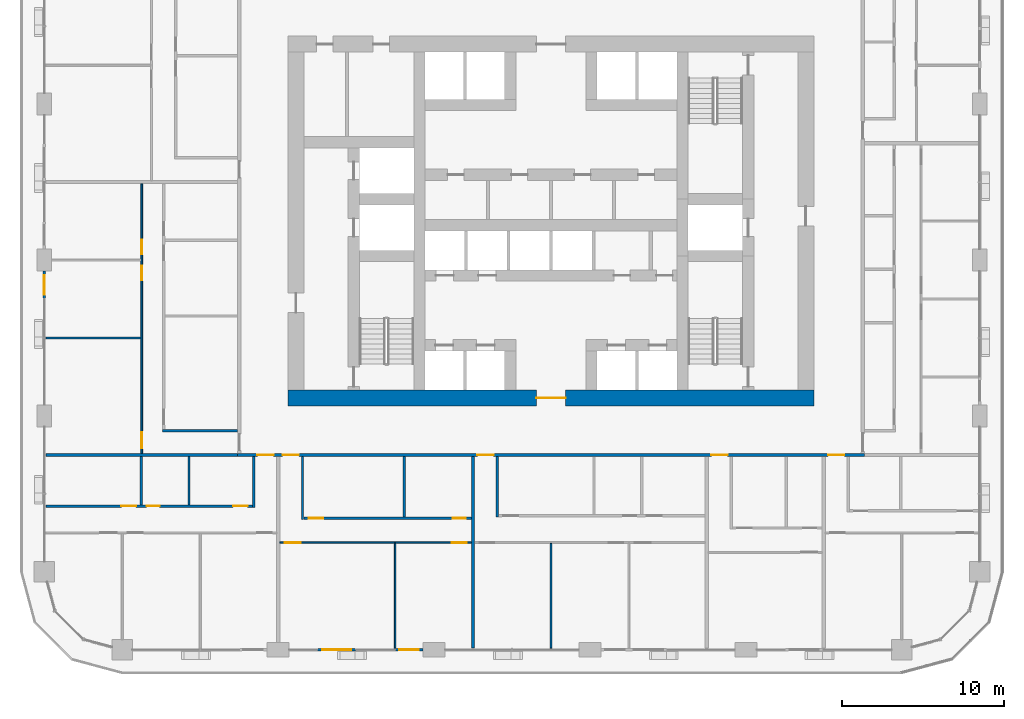
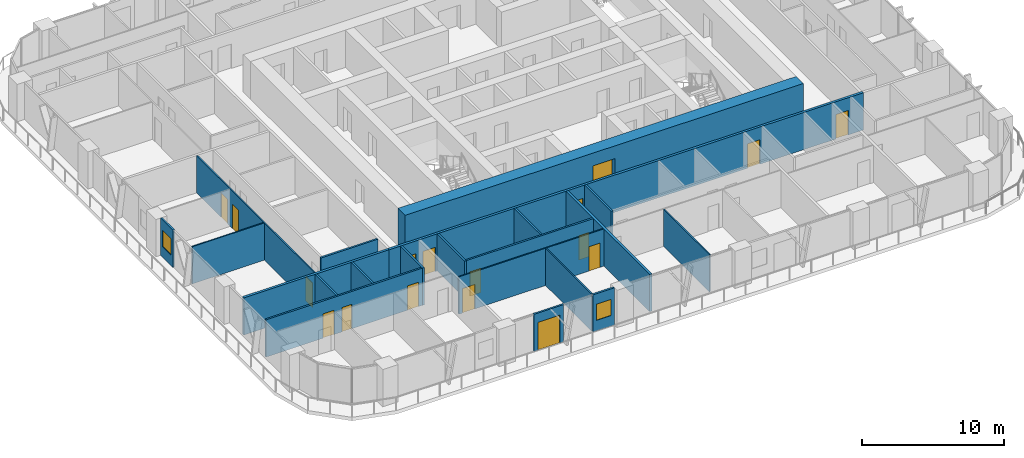
# One storey, part 9 of 21: 21 walls, 17 doors, 2 windows, 19 openings.
"""IFC4 building model written with IfcOpenShell, lengths in metres."""

from ifc_helpers import new_model, si_unit, direction, frame, frame_2d, origin, place, context, subcontext, project, spatial, rectangle, extrude, material, layer, layer_set, type_object, element, fill, save


model = new_model("IFC4")

# Units and contexts
model_context = context("Model", 3, precision=1e-05, world=origin(), true_north=direction((0.0, 1.0)))
body_context = subcontext(model_context, "Body", "Model", "MODEL_VIEW")
ifc_project = project(units=[si_unit("LENGTHUNIT", "METRE"), si_unit("AREAUNIT", "SQUARE_METRE"), si_unit("VOLUMEUNIT", "CUBIC_METRE"), si_unit("PLANEANGLEUNIT", "RADIAN"), si_unit("MASSUNIT", "GRAM", prefix="KILO")], contexts=[model_context])

# Site, building, storey
site_placement = place(None, origin())
site = spatial("IfcSite", under=ifc_project, at=site_placement, CompositionType="ELEMENT")
building_placement = place(site_placement, origin())
building = spatial("IfcBuilding", under=site, at=building_placement, Name="Madar Terraces", CompositionType="ELEMENT")
storey_placement = place(building_placement, frame((0.0, 0.0, 36.39990234375)))
storey = spatial("IfcBuildingStorey", under=building, at=storey_placement, Name="L08", CompositionType="ELEMENT", Elevation=36.39990234375)

# Wall, opening, door
ifc_material_1 = material(Name="Concrete C80/95", Category="concrete")
ifc_layer_1 = layer(ifc_material_1, 1.0)
ifc_layer_set_1 = layer_set([ifc_layer_1], Name="Concrete C80/95 (CRW1 RC wall 1000)")
wall_type_1 = type_object("IfcWallType", Name="CRW1 RC wall 1000", PredefinedType="SHEAR", material=ifc_layer_set_1)
wall_1_placement = place(storey_placement, frame((15.0, 15.5, 0.0), z_axis=(0.0, 0.0, 1.0), x_axis=(1.0, 0.0, 0.0)))
wall_1 = element("IfcWall", 1, at=wall_1_placement, inside=storey, type_object=wall_type_1, Name="CORE OUTER WALL", PredefinedType="SHEAR", context=body_context, shape_type="SweptSolid", body=[
    extrude(rectangle(XDim=32.39990234375, YDim=1.0, at=frame_2d((16.199951171875, 0.0))), origin(), (0.0, 0.0, 1.0), 3.2001953125),
])
opening_1_placement = place(wall_1_placement, frame((15.300048828125, 0.0, 0.0)))
opening_1 = element("IfcOpeningElement", 2, at=opening_1_placement, cuts=wall_1, Name="Opening KD1", PredefinedType="OPENING", context=body_context, shape_type="SweptSolid", body=[
    extrude(rectangle(XDim=1.800048828125, YDim=2.10009765625, at=frame_2d((0.89990234375, 1.050048828125))), frame((0.0, 0.510009765625, 0.0), z_axis=(0.0, -1.0, 0.0), x_axis=(1.0, 0.0, 0.0)), (0.0, 0.0, 1.0), 1.02001953125),
])
ifc_material_2 = material(Name="Steel door leaf", Category="steel")
door_type_1 = type_object("IfcDoorType", Name="Lobby door pair 1800 x 2100", OperationType="DOUBLE_DOOR_SINGLE_SWING", PredefinedType="DOOR", material=ifc_material_2)
door_1_placement = place(opening_1_placement, frame((1.800048828125, 0.0, 0.0), z_axis=(0.0, 0.0, 1.0), x_axis=(-1.0, 0.0, 0.0)))
door_1 = element("IfcDoor", 3, at=door_1_placement, inside=storey, type_object=door_type_1, Name="LIFT LOBBY DOOR", OperationType="DOUBLE_DOOR_SINGLE_SWING", OverallHeight=2.10009765625, OverallWidth=1.800048828125, PredefinedType="DOOR", context=body_context, shape_type="SweptSolid", body=[
    extrude(rectangle(XDim=1.800048828125, YDim=2.10009765625, at=frame_2d((0.89990234375, 1.050048828125))), frame((0.0, 0.02490234375, 0.0), z_axis=(0.0, -1.0, 0.0), x_axis=(1.0, 0.0, 0.0)), (0.0, 0.0, 1.0), 0.050048828125),
])
fill(opening_1, door_1)

ifc_material_3 = material(Name="Aluminium composite panel, black, over insulated backing", Category="aluminium")
ifc_layer_2 = layer(ifc_material_3, 0.14990234375)
ifc_layer_set_2 = layer_set([ifc_layer_2], Name="Facade bay panel 150")
wall_type_2 = type_object("IfcWallType", Name="Facade bay panel 150", PredefinedType="SOLIDWALL", material=ifc_layer_set_2)
wall_2_placement = place(storey_placement, frame((16.800048828125, 0.0, 0.0), z_axis=(0.0, 0.0, 1.0), x_axis=(1.0, 0.0, 0.0)))
wall_2 = element("IfcWall", 4, at=wall_2_placement, inside=storey, type_object=wall_type_2, Name="Facade bay panel", PredefinedType="SOLIDWALL", context=body_context, shape_type="SweptSolid", body=[
    extrude(rectangle(XDim=2.39990234375, YDim=0.14990234375, at=frame_2d((1.199951171875, 0.0))), origin(), (0.0, 0.0, 1.0), 3.2001953125),
])
opening_2_placement = place(wall_2_placement, frame((0.300048828125, 0.0, 0.0)))
opening_2 = element("IfcOpeningElement", 5, at=opening_2_placement, cuts=wall_2, Name="Opening ED1", PredefinedType="OPENING", context=body_context, shape_type="SweptSolid", body=[
    extrude(rectangle(XDim=1.800048828125, YDim=2.39990234375, at=frame_2d((0.89990234375, 1.199951171875))), frame((0.0, 0.0849609375, 0.0), z_axis=(0.0, -1.0, 0.0), x_axis=(1.0, 0.0, 0.0)), (0.0, 0.0, 1.0), 0.169921875),
])
ifc_material_4 = material(Name="Glass, clear, with black aluminium frame", Category="aluminium")
door_type_2 = type_object("IfcDoorType", Name="Balcony and terrace sliding door 1800 x 2400", OperationType="SLIDING_TO_LEFT", PredefinedType="DOOR", material=ifc_material_4)
door_2_placement = place(opening_2_placement, origin())
door_2 = element("IfcDoor", 6, at=door_2_placement, inside=storey, type_object=door_type_2, Name="Balcony door", OperationType="SLIDING_TO_LEFT", OverallHeight=2.39990234375, OverallWidth=1.800048828125, PredefinedType="DOOR", context=body_context, shape_type="SweptSolid", body=[
    extrude(rectangle(XDim=1.800048828125, YDim=2.39990234375, at=frame_2d((0.89990234375, 1.199951171875))), frame((0.0, 0.02490234375, 0.0), z_axis=(0.0, -1.0, 0.0), x_axis=(1.0, 0.0, 0.0)), (0.0, 0.0, 1.0), 0.050048828125),
])
fill(opening_2, door_2)

# Wall, opening, window
wall_3_placement = place(storey_placement, frame((21.60009765625, 0.0, 0.0), z_axis=(0.0, 0.0, 1.0), x_axis=(1.0, 0.0, 0.0)))
wall_3 = element("IfcWall", 7, at=wall_3_placement, inside=storey, type_object=wall_type_2, Name="Facade bay panel", PredefinedType="SOLIDWALL", context=body_context, shape_type="SweptSolid", body=[
    extrude(rectangle(XDim=1.724853515625, YDim=0.14990234375, at=frame_2d((0.8623046875, 0.0))), origin(), (0.0, 0.0, 1.0), 3.2001953125),
])
opening_3_placement = place(wall_3_placement, frame((0.262451171875, 0.0, 0.89990234375)))
opening_3 = element("IfcOpeningElement", 8, at=opening_3_placement, cuts=wall_3, Name="Opening W1", PredefinedType="OPENING", context=body_context, shape_type="SweptSolid", body=[
    extrude(rectangle(XDim=1.199951171875, YDim=1.39990234375, at=frame_2d((0.60009765625, 0.699951171875))), frame((0.0, 0.0849609375, 0.0), z_axis=(0.0, -1.0, 0.0), x_axis=(1.0, 0.0, 0.0)), (0.0, 0.0, 1.0), 0.169921875),
])
ifc_material_5 = material(Name="Glass, clear, with black aluminium frame", Category="aluminium")
window_type = type_object("IfcWindowType", Name="Vent window 1200 x 1400", PartitioningType="SINGLE_PANEL", PredefinedType="WINDOW", material=ifc_material_5)
window_1_placement = place(opening_3_placement, origin())
window_1 = element("IfcWindow", 9, at=window_1_placement, inside=storey, type_object=window_type, Name="Operable vent window", OverallHeight=1.39990234375, OverallWidth=1.199951171875, PartitioningType="SINGLE_PANEL", PredefinedType="WINDOW", context=body_context, shape_type="SweptSolid", body=[
    extrude(rectangle(XDim=1.199951171875, YDim=1.39990234375, at=frame_2d((0.60009765625, 0.699951171875))), frame((0.0, 0.030029296875, 0.0), z_axis=(0.0, -1.0, 0.0), x_axis=(1.0, 0.0, 0.0)), (0.0, 0.0, 1.0), 0.06005859375),
])
fill(opening_3, window_1)

wall_4_placement = place(storey_placement, frame((0.0, 23.324951171875, 0.0), z_axis=(0.0, 0.0, 1.0), x_axis=(0.0, -1.0, 0.0)))
wall_4 = element("IfcWall", 10, at=wall_4_placement, inside=storey, type_object=wall_type_2, Name="Facade bay panel", PredefinedType="SOLIDWALL", context=body_context, shape_type="SweptSolid", body=[
    extrude(rectangle(XDim=1.724853515625, YDim=0.14990234375, at=frame_2d((0.8623046875, 0.0))), origin(), (0.0, 0.0, 1.0), 3.2001953125),
])
opening_4_placement = place(wall_4_placement, frame((0.262451171875, 0.0, 0.89990234375)))
opening_4 = element("IfcOpeningElement", 11, at=opening_4_placement, cuts=wall_4, Name="Opening W1", PredefinedType="OPENING", context=body_context, shape_type="SweptSolid", body=[
    extrude(rectangle(XDim=1.199951171875, YDim=1.39990234375, at=frame_2d((0.60009765625, 0.699951171875))), frame((0.0, 0.0849609375, 0.0), z_axis=(0.0, -1.0, 0.0), x_axis=(1.0, 0.0, 0.0)), (0.0, 0.0, 1.0), 0.169921875),
])
window_2_placement = place(opening_4_placement, origin())
window_2 = element("IfcWindow", 12, at=window_2_placement, inside=storey, type_object=window_type, Name="Operable vent window", OverallHeight=1.39990234375, OverallWidth=1.199951171875, PartitioningType="SINGLE_PANEL", PredefinedType="WINDOW", context=body_context, shape_type="SweptSolid", body=[
    extrude(rectangle(XDim=1.199951171875, YDim=1.39990234375, at=frame_2d((0.60009765625, 0.699951171875))), frame((0.0, 0.030029296875, 0.0), z_axis=(0.0, -1.0, 0.0), x_axis=(1.0, 0.0, 0.0)), (0.0, 0.0, 1.0), 0.06005859375),
])
fill(opening_4, window_2)

# Wall
ifc_material_6 = material(Name="Gypsum board on steel studs", Category="steel")
ifc_layer_3 = layer(ifc_material_6, 0.10009765625)
ifc_layer_set_3 = layer_set([ifc_layer_3], Name="Flat partition 100")
wall_type_3 = type_object("IfcWallType", Name="Flat partition 100", PredefinedType="PARTITIONING", material=ifc_layer_set_3)
wall_5_placement = place(storey_placement, frame((21.60009765625, 6.550048828125, 0.0), z_axis=(0.0, 0.0, 1.0), x_axis=(0.0, -1.0, 0.0)))
element("IfcWall", 13, at=wall_5_placement, inside=storey, type_object=wall_type_3, Name="Flat partition 100", PredefinedType="PARTITIONING", context=body_context, shape_type="SweptSolid", body=[
    extrude(rectangle(XDim=6.449951171875, YDim=0.10009765625, at=frame_2d((3.22509765625, 0.0))), origin(), (0.0, 0.0, 1.0), 3.2001953125),
])

# Wall, openings, doors
wall_6_placement = place(storey_placement, frame((26.300048828125, 6.60009765625, 0.0), z_axis=(0.0, 0.0, 1.0), x_axis=(-1.0, 0.0, 0.0)))
wall_6 = element("IfcWall", 14, at=wall_6_placement, inside=storey, type_object=wall_type_3, Name="Flat partition 100", PredefinedType="PARTITIONING", context=body_context, shape_type="SweptSolid", body=[
    extrude(rectangle(XDim=11.800048828125, YDim=0.10009765625, at=frame_2d((5.89990234375, 0.0))), origin(), (0.0, 0.0, 1.0), 3.2001953125),
])
opening_5_placement = place(wall_6_placement, frame((10.5, 0.0, 0.0)))
opening_5 = element("IfcOpeningElement", 15, at=opening_5_placement, cuts=wall_6, Name="Opening D3", PredefinedType="OPENING", context=body_context, shape_type="SweptSolid", body=[
    extrude(rectangle(XDim=1.0, YDim=2.10009765625, at=frame_2d((0.5, 1.050048828125))), frame((0.0, 0.06005859375, 0.0), z_axis=(0.0, -1.0, 0.0), x_axis=(1.0, 0.0, 0.0)), (0.0, 0.0, 1.0), 0.1201171875),
])
opening_6_placement = place(wall_6_placement, frame((0.300048828125, 0.0, 0.0)))
opening_6 = element("IfcOpeningElement", 16, at=opening_6_placement, cuts=wall_6, Name="Opening D2", PredefinedType="OPENING", context=body_context, shape_type="SweptSolid", body=[
    extrude(rectangle(XDim=0.89990234375, YDim=2.10009765625, at=frame_2d((0.449951171875, 1.050048828125))), frame((0.0, 0.06005859375, 0.0), z_axis=(0.0, -1.0, 0.0), x_axis=(1.0, 0.0, 0.0)), (0.0, 0.0, 1.0), 0.1201171875),
])
ifc_material_7 = material(Name="Timber door leaf", Category="wood")
door_type_3 = type_object("IfcDoorType", Name="Flat living room door 1000", OperationType="NOTDEFINED", PredefinedType="DOOR", material=ifc_material_7)
door_3_placement = place(opening_5_placement, origin())
door_3 = element("IfcDoor", 17, at=door_3_placement, inside=storey, type_object=door_type_3, Name="Flat living room door 1000", OperationType="SINGLE_SWING_RIGHT", OverallHeight=2.10009765625, OverallWidth=1.0, PredefinedType="DOOR", context=body_context, shape_type="SweptSolid", body=[
    extrude(rectangle(XDim=1.0, YDim=2.10009765625, at=frame_2d((0.5, 1.050048828125))), frame((0.0, 0.02490234375, 0.0), z_axis=(0.0, -1.0, 0.0), x_axis=(1.0, 0.0, 0.0)), (0.0, 0.0, 1.0), 0.050048828125),
])
fill(opening_5, door_3)
ifc_material_8 = material(Name="Timber door leaf", Category="wood")
door_type_4 = type_object("IfcDoorType", Name="Flat room door 900", OperationType="NOTDEFINED", PredefinedType="DOOR", material=ifc_material_8)
door_4_placement = place(opening_6_placement, origin())
door_4 = element("IfcDoor", 18, at=door_4_placement, inside=storey, type_object=door_type_4, Name="Flat room door 900", OperationType="SINGLE_SWING_LEFT", OverallHeight=2.10009765625, OverallWidth=0.89990234375, PredefinedType="DOOR", context=body_context, shape_type="SweptSolid", body=[
    extrude(rectangle(XDim=0.89990234375, YDim=2.10009765625, at=frame_2d((0.449951171875, 1.050048828125))), frame((0.0, 0.02490234375, 0.0), z_axis=(0.0, -1.0, 0.0), x_axis=(1.0, 0.0, 0.0)), (0.0, 0.0, 1.0), 0.050048828125),
])
fill(opening_6, door_4)

# Walls
wall_7_placement = place(storey_placement, frame((31.199951171875, 6.550048828125, 0.0), z_axis=(0.0, 0.0, 1.0), x_axis=(0.0, -1.0, 0.0)))
element("IfcWall", 19, at=wall_7_placement, inside=storey, type_object=wall_type_3, Name="Flat partition 100", PredefinedType="PARTITIONING", context=body_context, shape_type="SweptSolid", body=[
    extrude(rectangle(XDim=6.449951171875, YDim=0.10009765625, at=frame_2d((3.22509765625, 0.0))), origin(), (0.0, 0.0, 1.0), 3.2001953125),
])
wall_8_placement = place(storey_placement, frame((5.949951171875, 19.199951171875, 0.0), z_axis=(0.0, 0.0, 1.0), x_axis=(-1.0, 0.0, 0.0)))
element("IfcWall", 20, at=wall_8_placement, inside=storey, type_object=wall_type_3, Name="Flat partition 100", PredefinedType="PARTITIONING", context=body_context, shape_type="SweptSolid", body=[
    extrude(rectangle(XDim=5.849853515625, YDim=0.10009765625, at=frame_2d((2.9248046875, 0.0))), origin(), (0.0, 0.0, 1.0), 3.2001953125),
])

# Wall, openings, doors
wall_9_placement = place(storey_placement, frame((6.0, 12.10009765625, 0.0), z_axis=(0.0, 0.0, 1.0), x_axis=(0.0, 1.0, 0.0)))
wall_9 = element("IfcWall", 21, at=wall_9_placement, inside=storey, type_object=wall_type_3, Name="Flat partition 100", PredefinedType="PARTITIONING", context=body_context, shape_type="SweptSolid", body=[
    extrude(rectangle(XDim=16.599853515625, YDim=0.10009765625, at=frame_2d((8.2998046875, 0.0))), origin(), (0.0, 0.0, 1.0), 3.2001953125),
])
opening_7_placement = place(wall_9_placement, frame((0.300048828125, 0.0, 0.0)))
opening_7 = element("IfcOpeningElement", 22, at=opening_7_placement, cuts=wall_9, Name="Opening D3", PredefinedType="OPENING", context=body_context, shape_type="SweptSolid", body=[
    extrude(rectangle(XDim=1.0, YDim=2.10009765625, at=frame_2d((0.5, 1.050048828125))), frame((0.0, 0.06005859375, 0.0), z_axis=(0.0, -1.0, 0.0), x_axis=(1.0, 0.0, 0.0)), (0.0, 0.0, 1.0), 0.1201171875),
])
opening_8_placement = place(wall_9_placement, frame((10.64990234375, 0.0, 0.0)))
opening_8 = element("IfcOpeningElement", 23, at=opening_8_placement, cuts=wall_9, Name="Opening D2", PredefinedType="OPENING", context=body_context, shape_type="SweptSolid", body=[
    extrude(rectangle(XDim=0.89990234375, YDim=2.10009765625, at=frame_2d((0.449951171875, 1.050048828125))), frame((0.0, 0.06005859375, 0.0), z_axis=(0.0, -1.0, 0.0), x_axis=(1.0, 0.0, 0.0)), (0.0, 0.0, 1.0), 0.1201171875),
])
opening_9_placement = place(wall_9_placement, frame((12.25, 0.0, 0.0)))
opening_9 = element("IfcOpeningElement", 24, at=opening_9_placement, cuts=wall_9, Name="Opening D2", PredefinedType="OPENING", context=body_context, shape_type="SweptSolid", body=[
    extrude(rectangle(XDim=0.89990234375, YDim=2.10009765625, at=frame_2d((0.449951171875, 1.050048828125))), frame((0.0, 0.06005859375, 0.0), z_axis=(0.0, -1.0, 0.0), x_axis=(1.0, 0.0, 0.0)), (0.0, 0.0, 1.0), 0.1201171875),
])
door_5_placement = place(opening_7_placement, origin())
door_5 = element("IfcDoor", 25, at=door_5_placement, inside=storey, type_object=door_type_3, Name="Flat living room door 1000", OperationType="SINGLE_SWING_LEFT", OverallHeight=2.10009765625, OverallWidth=1.0, PredefinedType="DOOR", context=body_context, shape_type="SweptSolid", body=[
    extrude(rectangle(XDim=1.0, YDim=2.10009765625, at=frame_2d((0.5, 1.050048828125))), frame((0.0, 0.02490234375, 0.0), z_axis=(0.0, -1.0, 0.0), x_axis=(1.0, 0.0, 0.0)), (0.0, 0.0, 1.0), 0.050048828125),
])
fill(opening_7, door_5)
door_6_placement = place(opening_8_placement, origin())
door_6 = element("IfcDoor", 26, at=door_6_placement, inside=storey, type_object=door_type_4, Name="Flat room door 900", OperationType="SINGLE_SWING_RIGHT", OverallHeight=2.10009765625, OverallWidth=0.89990234375, PredefinedType="DOOR", context=body_context, shape_type="SweptSolid", body=[
    extrude(rectangle(XDim=0.89990234375, YDim=2.10009765625, at=frame_2d((0.449951171875, 1.050048828125))), frame((0.0, 0.02490234375, 0.0), z_axis=(0.0, -1.0, 0.0), x_axis=(1.0, 0.0, 0.0)), (0.0, 0.0, 1.0), 0.050048828125),
])
fill(opening_8, door_6)
door_7_placement = place(opening_9_placement, origin())
door_7 = element("IfcDoor", 27, at=door_7_placement, inside=storey, type_object=door_type_4, Name="Flat room door 900", OperationType="SINGLE_SWING_LEFT", OverallHeight=2.10009765625, OverallWidth=0.89990234375, PredefinedType="DOOR", context=body_context, shape_type="SweptSolid", body=[
    extrude(rectangle(XDim=0.89990234375, YDim=2.10009765625, at=frame_2d((0.449951171875, 1.050048828125))), frame((0.0, 0.02490234375, 0.0), z_axis=(0.0, -1.0, 0.0), x_axis=(1.0, 0.0, 0.0)), (0.0, 0.0, 1.0), 0.050048828125),
])
fill(opening_9, door_7)

ifc_material_9 = material(Name="Lightweight blockwork", Category="masonry")
ifc_layer_4 = layer(ifc_material_9, 0.199951171875)
ifc_layer_set_4 = layer_set([ifc_layer_4], Name="Flat party and entrance wall 200")
wall_type_4 = type_object("IfcWallType", Name="Flat party and entrance wall 200", PredefinedType="PARTITIONING", material=ifc_layer_set_4)
wall_10_placement = place(storey_placement, frame((50.5, 12.0, 0.0), z_axis=(0.0, 0.0, 1.0), x_axis=(-1.0, 0.0, 0.0)))
wall_10 = element("IfcWall", 28, at=wall_10_placement, inside=storey, type_object=wall_type_4, Name="Flat party and entrance wall 200", PredefinedType="PARTITIONING", context=body_context, shape_type="SweptSolid", body=[
    extrude(rectangle(XDim=38.60009765625, YDim=0.199951171875, at=frame_2d((19.300048828125, 0.0))), origin(), (0.0, 0.0, 1.0), 3.2001953125),
])
opening_10_placement = place(wall_10_placement, frame((36.375, 0.0, 0.0)))
opening_10 = element("IfcOpeningElement", 29, at=opening_10_placement, cuts=wall_10, Name="Opening D1", PredefinedType="OPENING", context=body_context, shape_type="SweptSolid", body=[
    extrude(rectangle(XDim=1.0, YDim=2.10009765625, at=frame_2d((0.5, 1.050048828125))), frame((0.0, 0.10986328125, 0.0), z_axis=(0.0, -1.0, 0.0), x_axis=(1.0, 0.0, 0.0)), (0.0, 0.0, 1.0), 0.219970703125),
])
opening_11_placement = place(wall_10_placement, frame((34.824951171875, 0.0, 0.0)))
opening_11 = element("IfcOpeningElement", 30, at=opening_11_placement, cuts=wall_10, Name="Opening D1", PredefinedType="OPENING", context=body_context, shape_type="SweptSolid", body=[
    extrude(rectangle(XDim=1.0, YDim=2.10009765625, at=frame_2d((0.5, 1.050048828125))), frame((0.0, 0.10986328125, 0.0), z_axis=(0.0, -1.0, 0.0), x_axis=(1.0, 0.0, 0.0)), (0.0, 0.0, 1.0), 0.219970703125),
])
opening_12_placement = place(wall_10_placement, frame((22.824951171875, 0.0, 0.0)))
opening_12 = element("IfcOpeningElement", 31, at=opening_12_placement, cuts=wall_10, Name="Opening D1", PredefinedType="OPENING", context=body_context, shape_type="SweptSolid", body=[
    extrude(rectangle(XDim=1.0, YDim=2.10009765625, at=frame_2d((0.5, 1.050048828125))), frame((0.0, 0.10986328125, 0.0), z_axis=(0.0, -1.0, 0.0), x_axis=(1.0, 0.0, 0.0)), (0.0, 0.0, 1.0), 0.219970703125),
])
opening_13_placement = place(wall_10_placement, frame((8.425048828125, 0.0, 0.0)))
opening_13 = element("IfcOpeningElement", 32, at=opening_13_placement, cuts=wall_10, Name="Opening D1", PredefinedType="OPENING", context=body_context, shape_type="SweptSolid", body=[
    extrude(rectangle(XDim=1.0, YDim=2.10009765625, at=frame_2d((0.5, 1.050048828125))), frame((0.0, 0.10986328125, 0.0), z_axis=(0.0, -1.0, 0.0), x_axis=(1.0, 0.0, 0.0)), (0.0, 0.0, 1.0), 0.219970703125),
])
opening_14_placement = place(wall_10_placement, frame((1.22509765625, 0.0, 0.0)))
opening_14 = element("IfcOpeningElement", 33, at=opening_14_placement, cuts=wall_10, Name="Opening D1", PredefinedType="OPENING", context=body_context, shape_type="SweptSolid", body=[
    extrude(rectangle(XDim=1.0, YDim=2.10009765625, at=frame_2d((0.5, 1.050048828125))), frame((0.0, 0.10986328125, 0.0), z_axis=(0.0, -1.0, 0.0), x_axis=(1.0, 0.0, 0.0)), (0.0, 0.0, 1.0), 0.219970703125),
])
ifc_material_10 = material(Name="Timber fire door leaf", Category="wood")
door_type_5 = type_object("IfcDoorType", Name="Flat entrance door 1000 FD30S", OperationType="NOTDEFINED", PredefinedType="DOOR", material=ifc_material_10)
door_8_placement = place(opening_10_placement, origin())
door_8 = element("IfcDoor", 34, at=door_8_placement, inside=storey, type_object=door_type_5, Name="Flat entrance door 1000 FD30S", OperationType="SINGLE_SWING_LEFT", OverallHeight=2.10009765625, OverallWidth=1.0, PredefinedType="DOOR", context=body_context, shape_type="SweptSolid", body=[
    extrude(rectangle(XDim=1.0, YDim=2.10009765625, at=frame_2d((0.5, 1.050048828125))), frame((0.0, 0.02490234375, 0.0), z_axis=(0.0, -1.0, 0.0), x_axis=(1.0, 0.0, 0.0)), (0.0, 0.0, 1.0), 0.050048828125),
])
fill(opening_10, door_8)
door_9_placement = place(opening_11_placement, origin())
door_9 = element("IfcDoor", 35, at=door_9_placement, inside=storey, type_object=door_type_5, Name="Flat entrance door 1000 FD30S", OperationType="SINGLE_SWING_RIGHT", OverallHeight=2.10009765625, OverallWidth=1.0, PredefinedType="DOOR", context=body_context, shape_type="SweptSolid", body=[
    extrude(rectangle(XDim=1.0, YDim=2.10009765625, at=frame_2d((0.5, 1.050048828125))), frame((0.0, 0.02490234375, 0.0), z_axis=(0.0, -1.0, 0.0), x_axis=(1.0, 0.0, 0.0)), (0.0, 0.0, 1.0), 0.050048828125),
])
fill(opening_11, door_9)
door_10_placement = place(opening_12_placement, origin())
door_10 = element("IfcDoor", 36, at=door_10_placement, inside=storey, type_object=door_type_5, Name="Flat entrance door 1000 FD30S", OperationType="SINGLE_SWING_RIGHT", OverallHeight=2.10009765625, OverallWidth=1.0, PredefinedType="DOOR", context=body_context, shape_type="SweptSolid", body=[
    extrude(rectangle(XDim=1.0, YDim=2.10009765625, at=frame_2d((0.5, 1.050048828125))), frame((0.0, 0.02490234375, 0.0), z_axis=(0.0, -1.0, 0.0), x_axis=(1.0, 0.0, 0.0)), (0.0, 0.0, 1.0), 0.050048828125),
])
fill(opening_12, door_10)
door_11_placement = place(opening_13_placement, origin())
door_11 = element("IfcDoor", 37, at=door_11_placement, inside=storey, type_object=door_type_5, Name="Flat entrance door 1000 FD30S", OperationType="SINGLE_SWING_RIGHT", OverallHeight=2.10009765625, OverallWidth=1.0, PredefinedType="DOOR", context=body_context, shape_type="SweptSolid", body=[
    extrude(rectangle(XDim=1.0, YDim=2.10009765625, at=frame_2d((0.5, 1.050048828125))), frame((0.0, 0.02490234375, 0.0), z_axis=(0.0, -1.0, 0.0), x_axis=(1.0, 0.0, 0.0)), (0.0, 0.0, 1.0), 0.050048828125),
])
fill(opening_13, door_11)
door_12_placement = place(opening_14_placement, origin())
door_12 = element("IfcDoor", 38, at=door_12_placement, inside=storey, type_object=door_type_5, Name="Flat entrance door 1000 FD30S", OperationType="SINGLE_SWING_RIGHT", OverallHeight=2.10009765625, OverallWidth=1.0, PredefinedType="DOOR", context=body_context, shape_type="SweptSolid", body=[
    extrude(rectangle(XDim=1.0, YDim=2.10009765625, at=frame_2d((0.5, 1.050048828125))), frame((0.0, 0.02490234375, 0.0), z_axis=(0.0, -1.0, 0.0), x_axis=(1.0, 0.0, 0.0)), (0.0, 0.0, 1.0), 0.050048828125),
])
fill(opening_14, door_12)

# Walls
for number, where, z_axis, x_axis, name in (
    (39, (0.10009765625, 12.0, 0.0), (0.0, 0.0, 1.0), (1.0, 0.0, 0.0), "Flat party and entrance wall 200"),
    (40, (26.39990234375, 11.89990234375, 0.0), (0.0, 0.0, 1.0), (0.0, -1.0, 0.0), "Flat party and entrance wall 200"),
):
    element("IfcWall", number, at=place(storey_placement, frame(where, z_axis=z_axis, x_axis=x_axis)), inside=storey, type_object=wall_type_4, Name=name, PredefinedType="PARTITIONING", context=body_context, shape_type="SweptSolid", body=[
        extrude(rectangle(XDim=11.7998046875, YDim=0.199951171875, at=frame_2d((5.89990234375, 0.0))), origin(), (0.0, 0.0, 1.0), 3.2001953125),
    ])
ifc_material_11 = material(Name="Lightweight blockwork", Category="masonry")
ifc_layer_5 = layer(ifc_material_11, 0.14990234375)
ifc_layer_set_5 = layer_set([ifc_layer_5], Name="Flat wet-room partition 150")
wall_type_5 = type_object("IfcWallType", Name="Flat wet-room partition 150", PredefinedType="PARTITIONING", material=ifc_layer_set_5)
for number, where, z_axis, x_axis, name in (
    (41, (8.90966796875, 11.89990234375, 0.0), (0.0, 0.0, 1.0), (0.0, -1.0, 0.0), "Flat wet-room partition 150"),
    (42, (5.97314453125, 11.89990234375, 0.0), (0.0, 0.0, 1.0), (0.0, -1.0, 0.0), "Flat wet-room partition 150"),
):
    element("IfcWall", number, at=place(storey_placement, frame(where, z_axis=z_axis, x_axis=x_axis)), inside=storey, type_object=wall_type_5, Name=name, PredefinedType="PARTITIONING", context=body_context, shape_type="SweptSolid", body=[
        extrude(rectangle(XDim=2.974853515625, YDim=0.14990234375, at=frame_2d((1.4873046875, 0.0))), origin(), (0.0, 0.0, 1.0), 3.2001953125),
    ])
wall_11_placement = place(storey_placement, frame((12.89990234375, 11.89990234375, 0.0), z_axis=(0.0, 0.0, 1.0), x_axis=(0.0, -1.0, 0.0)))
element("IfcWall", 43, at=wall_11_placement, inside=storey, type_object=wall_type_5, Name="Flat wet-room partition 150", PredefinedType="PARTITIONING", context=body_context, shape_type="SweptSolid", body=[
    extrude(rectangle(XDim=3.125, YDim=0.14990234375, at=frame_2d((1.5625, 0.0))), origin(), (0.0, 0.0, 1.0), 3.2001953125),
])

# Wall, openings, doors
wall_12_placement = place(storey_placement, frame((0.10009765625, 8.85009765625, 0.0), z_axis=(0.0, 0.0, 1.0), x_axis=(1.0, 0.0, 0.0)))
wall_12 = element("IfcWall", 44, at=wall_12_placement, inside=storey, type_object=wall_type_5, Name="Flat wet-room partition 150", PredefinedType="PARTITIONING", context=body_context, shape_type="SweptSolid", body=[
    extrude(rectangle(XDim=12.724853515625, YDim=0.14990234375, at=frame_2d((6.3623046875, 0.0))), origin(), (0.0, 0.0, 1.0), 3.2001953125),
])
opening_15_placement = place(wall_12_placement, frame((11.52490234375, 0.0, 0.0)))
opening_15 = element("IfcOpeningElement", 45, at=opening_15_placement, cuts=wall_12, Name="Opening D5", PredefinedType="OPENING", context=body_context, shape_type="SweptSolid", body=[
    extrude(rectangle(XDim=0.89990234375, YDim=2.10009765625, at=frame_2d((0.449951171875, 1.050048828125))), frame((0.0, 0.0849609375, 0.0), z_axis=(0.0, -1.0, 0.0), x_axis=(1.0, 0.0, 0.0)), (0.0, 0.0, 1.0), 0.169921875),
])
opening_16_placement = place(wall_12_placement, frame((6.197998046875, 0.0, 0.0)))
opening_16 = element("IfcOpeningElement", 46, at=opening_16_placement, cuts=wall_12, Name="Opening D4", PredefinedType="OPENING", context=body_context, shape_type="SweptSolid", body=[
    extrude(rectangle(XDim=0.800048828125, YDim=2.10009765625, at=frame_2d((0.39990234375, 1.050048828125))), frame((0.0, 0.0849609375, 0.0), z_axis=(0.0, -1.0, 0.0), x_axis=(1.0, 0.0, 0.0)), (0.0, 0.0, 1.0), 0.169921875),
])
opening_17_placement = place(wall_12_placement, frame((4.648193359375, 0.0, 0.0)))
opening_17 = element("IfcOpeningElement", 47, at=opening_17_placement, cuts=wall_12, Name="Opening D2", PredefinedType="OPENING", context=body_context, shape_type="SweptSolid", body=[
    extrude(rectangle(XDim=0.89990234375, YDim=2.10009765625, at=frame_2d((0.449951171875, 1.050048828125))), frame((0.0, 0.0849609375, 0.0), z_axis=(0.0, -1.0, 0.0), x_axis=(1.0, 0.0, 0.0)), (0.0, 0.0, 1.0), 0.169921875),
])
ifc_material_12 = material(Name="Timber door leaf", Category="wood")
door_type_6 = type_object("IfcDoorType", Name="Flat accessible bathroom door 900", OperationType="NOTDEFINED", PredefinedType="DOOR", material=ifc_material_12)
door_13_placement = place(opening_15_placement, origin())
door_13 = element("IfcDoor", 48, at=door_13_placement, inside=storey, type_object=door_type_6, Name="Flat accessible bathroom door 900", OperationType="SINGLE_SWING_RIGHT", OverallHeight=2.10009765625, OverallWidth=0.89990234375, PredefinedType="DOOR", context=body_context, shape_type="SweptSolid", body=[
    extrude(rectangle(XDim=0.89990234375, YDim=2.10009765625, at=frame_2d((0.449951171875, 1.050048828125))), frame((0.0, 0.02490234375, 0.0), z_axis=(0.0, -1.0, 0.0), x_axis=(1.0, 0.0, 0.0)), (0.0, 0.0, 1.0), 0.050048828125),
])
fill(opening_15, door_13)
ifc_material_13 = material(Name="Timber door leaf", Category="wood")
door_type_7 = type_object("IfcDoorType", Name="Flat bathroom door 800", OperationType="NOTDEFINED", PredefinedType="DOOR", material=ifc_material_13)
door_14_placement = place(opening_16_placement, origin())
door_14 = element("IfcDoor", 49, at=door_14_placement, inside=storey, type_object=door_type_7, Name="Flat bathroom door 800", OperationType="SINGLE_SWING_LEFT", OverallHeight=2.10009765625, OverallWidth=0.800048828125, PredefinedType="DOOR", context=body_context, shape_type="SweptSolid", body=[
    extrude(rectangle(XDim=0.800048828125, YDim=2.10009765625, at=frame_2d((0.39990234375, 1.050048828125))), frame((0.0, 0.02490234375, 0.0), z_axis=(0.0, -1.0, 0.0), x_axis=(1.0, 0.0, 0.0)), (0.0, 0.0, 1.0), 0.050048828125),
])
fill(opening_16, door_14)
door_15_placement = place(opening_17_placement, origin())
door_15 = element("IfcDoor", 50, at=door_15_placement, inside=storey, type_object=door_type_4, Name="Flat room door 900", OperationType="SINGLE_SWING_RIGHT", OverallHeight=2.10009765625, OverallWidth=0.89990234375, PredefinedType="DOOR", context=body_context, shape_type="SweptSolid", body=[
    extrude(rectangle(XDim=0.89990234375, YDim=2.10009765625, at=frame_2d((0.449951171875, 1.050048828125))), frame((0.0, 0.02490234375, 0.0), z_axis=(0.0, -1.0, 0.0), x_axis=(1.0, 0.0, 0.0)), (0.0, 0.0, 1.0), 0.050048828125),
])
fill(opening_17, door_15)

# Walls
wall_13_placement = place(storey_placement, frame((22.169921875, 11.89990234375, 0.0), z_axis=(0.0, 0.0, 1.0), x_axis=(0.0, -1.0, 0.0)))
element("IfcWall", 51, at=wall_13_placement, inside=storey, type_object=wall_type_5, Name="Flat wet-room partition 150", PredefinedType="PARTITIONING", context=body_context, shape_type="SweptSolid", body=[
    extrude(rectangle(XDim=3.724853515625, YDim=0.14990234375, at=frame_2d((1.8623046875, 0.0))), origin(), (0.0, 0.0, 1.0), 3.2001953125),
])
wall_14_placement = place(storey_placement, frame((15.89990234375, 11.89990234375, 0.0), z_axis=(0.0, 0.0, 1.0), x_axis=(0.0, -1.0, 0.0)))
element("IfcWall", 52, at=wall_14_placement, inside=storey, type_object=wall_type_5, Name="Flat wet-room partition 150", PredefinedType="PARTITIONING", context=body_context, shape_type="SweptSolid", body=[
    extrude(rectangle(XDim=3.875, YDim=0.14990234375, at=frame_2d((1.9375, 0.0))), origin(), (0.0, 0.0, 1.0), 3.2001953125),
])

# Wall, openings, doors
wall_15_placement = place(storey_placement, frame((15.97509765625, 8.10009765625, 0.0), z_axis=(0.0, 0.0, 1.0), x_axis=(1.0, 0.0, 0.0)))
wall_15 = element("IfcWall", 53, at=wall_15_placement, inside=storey, type_object=wall_type_5, Name="Flat wet-room partition 150", PredefinedType="PARTITIONING", context=body_context, shape_type="SweptSolid", body=[
    extrude(rectangle(XDim=10.324951171875, YDim=0.14990234375, at=frame_2d((5.16259765625, 0.0))), origin(), (0.0, 0.0, 1.0), 3.2001953125),
])
opening_18_placement = place(wall_15_placement, frame((0.300048828125, 0.0, 0.0)))
opening_18 = element("IfcOpeningElement", 54, at=opening_18_placement, cuts=wall_15, Name="Opening D2", PredefinedType="OPENING", context=body_context, shape_type="SweptSolid", body=[
    extrude(rectangle(XDim=0.89990234375, YDim=2.10009765625, at=frame_2d((0.449951171875, 1.050048828125))), frame((0.0, 0.0849609375, 0.0), z_axis=(0.0, -1.0, 0.0), x_axis=(1.0, 0.0, 0.0)), (0.0, 0.0, 1.0), 0.169921875),
])
opening_19_placement = place(wall_15_placement, frame((9.175048828125, 0.0, 0.0)))
opening_19 = element("IfcOpeningElement", 55, at=opening_19_placement, cuts=wall_15, Name="Opening D4", PredefinedType="OPENING", context=body_context, shape_type="SweptSolid", body=[
    extrude(rectangle(XDim=0.800048828125, YDim=2.10009765625, at=frame_2d((0.39990234375, 1.050048828125))), frame((0.0, 0.0849609375, 0.0), z_axis=(0.0, -1.0, 0.0), x_axis=(1.0, 0.0, 0.0)), (0.0, 0.0, 1.0), 0.169921875),
])
door_16_placement = place(opening_19_placement, origin())
door_16 = element("IfcDoor", 56, at=door_16_placement, inside=storey, type_object=door_type_7, Name="Flat bathroom door 800", OperationType="SINGLE_SWING_RIGHT", OverallHeight=2.10009765625, OverallWidth=0.800048828125, PredefinedType="DOOR", context=body_context, shape_type="SweptSolid", body=[
    extrude(rectangle(XDim=0.800048828125, YDim=2.10009765625, at=frame_2d((0.39990234375, 1.050048828125))), frame((0.0, 0.02490234375, 0.0), z_axis=(0.0, -1.0, 0.0), x_axis=(1.0, 0.0, 0.0)), (0.0, 0.0, 1.0), 0.050048828125),
])
fill(opening_19, door_16)
door_17_placement = place(opening_18_placement, origin())
door_17 = element("IfcDoor", 57, at=door_17_placement, inside=storey, type_object=door_type_4, Name="Flat room door 900", OperationType="SINGLE_SWING_LEFT", OverallHeight=2.10009765625, OverallWidth=0.89990234375, PredefinedType="DOOR", context=body_context, shape_type="SweptSolid", body=[
    extrude(rectangle(XDim=0.89990234375, YDim=2.10009765625, at=frame_2d((0.449951171875, 1.050048828125))), frame((0.0, 0.02490234375, 0.0), z_axis=(0.0, -1.0, 0.0), x_axis=(1.0, 0.0, 0.0)), (0.0, 0.0, 1.0), 0.050048828125),
])
fill(opening_18, door_17)

# Walls
wall_16_placement = place(storey_placement, frame((27.89990234375, 11.89990234375, 0.0), z_axis=(0.0, 0.0, 1.0), x_axis=(0.0, -1.0, 0.0)))
element("IfcWall", 58, at=wall_16_placement, inside=storey, type_object=wall_type_5, Name="Flat wet-room partition 150", PredefinedType="PARTITIONING", context=body_context, shape_type="SweptSolid", body=[
    extrude(rectangle(XDim=3.724853515625, YDim=0.14990234375, at=frame_2d((1.8623046875, 0.0))), origin(), (0.0, 0.0, 1.0), 3.2001953125),
])
wall_17_placement = place(storey_placement, frame((11.89990234375, 13.5, 0.0), z_axis=(0.0, 0.0, 1.0), x_axis=(-1.0, 0.0, 0.0)))
element("IfcWall", 59, at=wall_17_placement, inside=storey, type_object=wall_type_5, Name="Flat wet-room partition 150", PredefinedType="PARTITIONING", context=body_context, shape_type="SweptSolid", body=[
    extrude(rectangle(XDim=4.625, YDim=0.14990234375, at=frame_2d((2.3125, 0.0))), origin(), (0.0, 0.0, 1.0), 3.2001953125),
])

save(model, "model.ifc")
